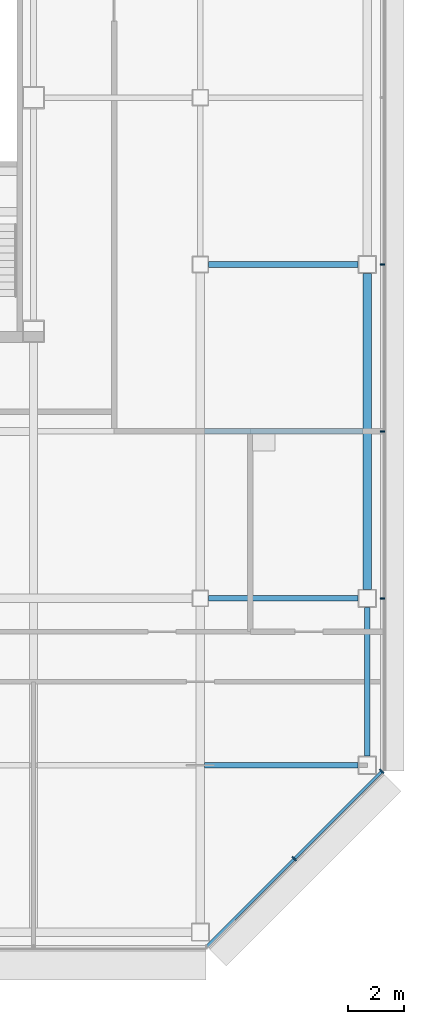
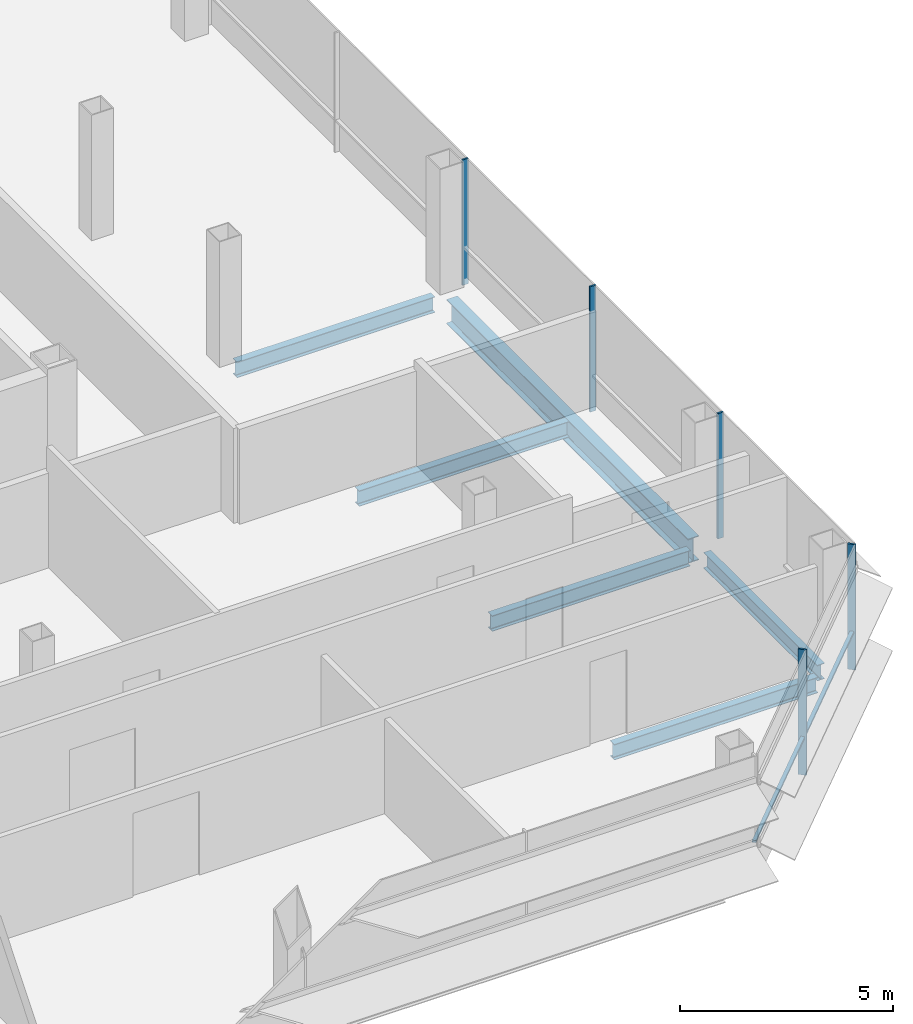
# One storey, part 16 of 26: 6 beams, 6 members, 2 elements without a shape of their own.
"""IFC4 building model written with IfcOpenShell, lengths in metres."""

from ifc_helpers import new_model, si_unit, direction, frame, origin, origin_2d, place, context, subcontext, project, spatial, rectangle, i_section, extrude, material, material_profile, profile_set, type_object, element, aggregate, save


model = new_model("IFC4")

# Units and contexts
model_context = context("Model", 3, precision=1e-05, world=origin(), true_north=direction((0.0, 1.0)))
body_context = subcontext(model_context, "Body", "Model", "MODEL_VIEW")
ifc_project = project(units=[si_unit("LENGTHUNIT", "METRE"), si_unit("AREAUNIT", "SQUARE_METRE"), si_unit("VOLUMEUNIT", "CUBIC_METRE"), si_unit("PLANEANGLEUNIT", "RADIAN"), si_unit("MASSUNIT", "GRAM", prefix="KILO")], contexts=[model_context])

# Site, building, storey
site_placement = place(None, origin())
site = spatial("IfcSite", under=ifc_project, at=site_placement, CompositionType="ELEMENT")
building_placement = place(site_placement, origin())
building = spatial("IfcBuilding", under=site, at=building_placement, Name="Sorahane Residences", CompositionType="ELEMENT")
storey_placement = place(building_placement, frame((0.0, 0.0, 219.0)))
storey = spatial("IfcBuildingStorey", under=building, at=storey_placement, Name="L51", CompositionType="ELEMENT", Elevation=219.0)

# Curtain wall, members
ifc_material_1 = material(Name="Dark low-e glass and black anodised aluminium", Category="aluminium")
curtain_wall_type_1 = type_object("IfcCurtainWallType", Name="Curtain wall CW-1 Typical unitised wall", PredefinedType="NOTDEFINED", material=ifc_material_1)
curtain_wall_1_placement = place(storey_placement, origin())
curtain_wall_1 = element("IfcCurtainWall", 1, at=curtain_wall_1_placement, inside=storey, type_object=curtain_wall_type_1, Name="CW-1 curtain wall L51 E1", PredefinedType="NOTDEFINED")
ifc_material_2 = material(Name="Black anodised aluminium", Category="aluminium")
ifc_material_profile_1 = material_profile(ifc_material_2, rectangle(XDim=0.159912109375, YDim=0.050048828125, at=origin_2d()), Name="Curtain wall mullion CW-1 black anodised aluminium 50x160")
ifc_profile_set_1 = profile_set([ifc_material_profile_1], Name="Black anodised aluminium")
member_type_1 = type_object("IfcMemberType", Name="Curtain wall mullion CW-1 black anodised aluminium 50x160", PredefinedType="MULLION", material=ifc_profile_set_1)
member_1_placement = place(storey_placement, frame((54.5400390625, 12.0, -0.179931640625), z_axis=(0.0, 0.0, 1.0), x_axis=(1.0, 0.0, 0.0)))
member_1 = element("IfcMember", 2, at=member_1_placement, type_object=member_type_1, Name="CW-1 mullion L51 E1.2", PredefinedType="MULLION", context=body_context, shape_type="SweptSolid", body=[
    extrude(rectangle(XDim=0.159912109375, YDim=0.050048828125, at=origin_2d()), origin(), (0.0, 0.0, 1.0), 3.599853515625),
])
member_2_placement = place(storey_placement, frame((54.5400390625, 18.0, -0.179931640625), z_axis=(0.0, 0.0, 1.0), x_axis=(1.0, 0.0, 0.0)))
member_2 = element("IfcMember", 3, at=member_2_placement, type_object=member_type_1, Name="CW-1 mullion L51 E1.3", PredefinedType="MULLION", context=body_context, shape_type="SweptSolid", body=[
    extrude(rectangle(XDim=0.159912109375, YDim=0.050048828125, at=origin_2d()), origin(), (0.0, 0.0, 1.0), 3.599853515625),
])
member_3_placement = place(storey_placement, frame((54.5400390625, 24.0, -0.179931640625), z_axis=(0.0, 0.0, 1.0), x_axis=(1.0, 0.0, 0.0)))
member_3 = element("IfcMember", 4, at=member_3_placement, type_object=member_type_1, Name="CW-1 mullion L51 E1.4", PredefinedType="MULLION", context=body_context, shape_type="SweptSolid", body=[
    extrude(rectangle(XDim=0.159912109375, YDim=0.050048828125, at=origin_2d()), origin(), (0.0, 0.0, 1.0), 3.599853515625),
])
aggregate(curtain_wall_1, [member_1, member_2, member_3])

ifc_material_3 = material(Name="Dark low-e glass and black anodised aluminium", Category="aluminium")
curtain_wall_type_2 = type_object("IfcCurtainWallType", Name="Curtain wall CW-2 Chamfer unitised wall", PredefinedType="NOTDEFINED", material=ifc_material_3)
curtain_wall_2_placement = place(storey_placement, origin())
curtain_wall_2 = element("IfcCurtainWall", 5, at=curtain_wall_2_placement, inside=storey, type_object=curtain_wall_type_2, Name="CW-2 curtain wall L51 SE1", PredefinedType="NOTDEFINED")
ifc_material_4 = material(Name="Black anodised aluminium", Category="aluminium")
ifc_material_profile_2 = material_profile(ifc_material_4, rectangle(XDim=0.199951171875, YDim=0.050048828125, at=origin_2d()), Name="Curtain wall mullion CW-2 black anodised aluminium 50x200")
ifc_profile_set_2 = profile_set([ifc_material_profile_2], Name="Black anodised aluminium")
member_type_2 = type_object("IfcMemberType", Name="Curtain wall mullion CW-2 black anodised aluminium 50x200", PredefinedType="MULLION", material=ifc_profile_set_2)
member_4_placement = place(storey_placement, frame((51.36767578125, 2.63232421875, -0.179931640625), z_axis=(0.0, 0.0, 1.0), x_axis=(0.707106781187, -0.707106781187, 0.0)))
member_4 = element("IfcMember", 6, at=member_4_placement, type_object=member_type_2, Name="CW-2 mullion L51 SE1.2", PredefinedType="MULLION", context=body_context, shape_type="SweptSolid", body=[
    extrude(rectangle(XDim=0.199951171875, YDim=0.050048828125, at=origin_2d()), origin(), (0.0, 0.0, 1.0), 3.599853515625),
])
member_5_placement = place(storey_placement, frame((54.525634765625, 5.790283203125, -0.179931640625), z_axis=(0.0, 0.0, 1.0), x_axis=(0.707106781187, -0.707106781187, 0.0)))
member_5 = element("IfcMember", 7, at=member_5_placement, type_object=member_type_2, Name="CW-2 mullion L51 SE1.3", PredefinedType="MULLION", context=body_context, shape_type="SweptSolid", body=[
    extrude(rectangle(XDim=0.199951171875, YDim=0.050048828125, at=origin_2d()), origin(), (0.0, 0.0, 1.0), 3.599853515625),
])
ifc_material_5 = material(Name="Black anodised aluminium", Category="aluminium")
ifc_material_profile_3 = material_profile(ifc_material_5, rectangle(XDim=0.10009765625, YDim=0.06005859375, at=origin_2d()), Name="Curtain wall transom CW-2 black anodised aluminium 60x100")
ifc_profile_set_3 = profile_set([ifc_material_profile_3], Name="Black anodised aluminium")
member_type_3 = type_object("IfcMemberType", Name="Curtain wall transom CW-2 black anodised aluminium 60x100", PredefinedType="USERDEFINED", material=ifc_profile_set_3)
member_6_placement = place(storey_placement, frame((48.234375, -0.51513671875, 0.89990234375), z_axis=(0.707106781187, 0.707106781187, 0.0), x_axis=(-0.707106781187, 0.707106781187, 0.0)))
member_6 = element("IfcMember", 8, at=member_6_placement, type_object=member_type_3, Name="CW-2 transom L51 SE1", ObjectType="TRANSOM", PredefinedType="USERDEFINED", context=body_context, shape_type="SweptSolid", body=[
    extrude(rectangle(XDim=0.10009765625, YDim=0.06005859375, at=origin_2d()), origin(), (0.0, 0.0, 1.0), 8.88232421875),
])
aggregate(curtain_wall_2, [member_4, member_5, member_6])

# Beams
ifc_material_6 = material(Name="Steel Q355B", Category="steel")
ifc_material_profile_4 = material_profile(ifc_material_6, i_section(OverallWidth=0.199951171875, OverallDepth=0.449951171875, WebThickness=0.009033203125, FlangeThickness=0.013916015625, FilletRadius=0.02001953125, at=origin_2d()), Name="HN 450x200x9x14")
ifc_profile_set_4 = profile_set([ifc_material_profile_4], Name="Steel Q355B")
beam_type_1 = type_object("IfcBeamType", Name="Steel floor beam HN 450x200x9x14 Q355B", PredefinedType="BEAM", material=ifc_profile_set_4)
for number, where, z_axis, x_axis, name in (
    (9, (48.300048828125, 12.0, -0.405029296875), (1.0, 0.0, 0.0), (0.0, 1.0, 0.0), "Beam L51 010"),
    (10, (48.300048828125, 24.0, -0.405029296875), (1.0, 0.0, 0.0), (0.0, 1.0, 0.0), "Beam L51 012"),
):
    element("IfcBeam", number, at=place(storey_placement, frame(where, z_axis=z_axis, x_axis=x_axis)), inside=storey, type_object=beam_type_1, Name=name, PredefinedType="BEAM", context=body_context, shape_type="SweptSolid", body=[
        extrude(i_section(OverallWidth=0.199951171875, OverallDepth=0.449951171875, WebThickness=0.009033203125, FlangeThickness=0.013916015625, FilletRadius=0.02001953125, at=origin_2d()), origin(), (0.0, 0.0, 1.0), 5.375),
    ])
beam_1_placement = place(storey_placement, frame((54.0, 6.324951171875, -0.405029296875), z_axis=(0.0, 1.0, 0.0), x_axis=(-1.0, 0.0, 0.0)))
element("IfcBeam", 11, at=beam_1_placement, inside=storey, type_object=beam_type_1, Name="Beam L51 064", PredefinedType="BEAM", context=body_context, shape_type="SweptSolid", body=[
    extrude(i_section(OverallWidth=0.199951171875, OverallDepth=0.449951171875, WebThickness=0.009033203125, FlangeThickness=0.013916015625, FilletRadius=0.02001953125, at=origin_2d()), origin(), (0.0, 0.0, 1.0), 5.35009765625),
])
beam_2_placement = place(storey_placement, frame((48.14990234375, 6.0, -0.405029296875), z_axis=(1.0, 0.0, 0.0), x_axis=(0.0, 1.0, 0.0)))
element("IfcBeam", 12, at=beam_2_placement, inside=storey, type_object=beam_type_1, Name="Beam L51 077", PredefinedType="BEAM", context=body_context, shape_type="SweptSolid", body=[
    extrude(i_section(OverallWidth=0.199951171875, OverallDepth=0.449951171875, WebThickness=0.009033203125, FlangeThickness=0.013916015625, FilletRadius=0.02001953125, at=origin_2d()), origin(), (0.0, 0.0, 1.0), 5.525146484375),
])
beam_3_placement = place(storey_placement, frame((48.14990234375, 18.0, -0.405029296875), z_axis=(1.0, 0.0, 0.0), x_axis=(0.0, 1.0, 0.0)))
element("IfcBeam", 13, at=beam_3_placement, inside=storey, type_object=beam_type_1, Name="Beam L51 084", PredefinedType="BEAM", context=body_context, shape_type="SweptSolid", body=[
    extrude(i_section(OverallWidth=0.199951171875, OverallDepth=0.449951171875, WebThickness=0.009033203125, FlangeThickness=0.013916015625, FilletRadius=0.02001953125, at=origin_2d()), origin(), (0.0, 0.0, 1.0), 5.7001953125),
])
ifc_material_7 = material(Name="Steel Q355B", Category="steel")
ifc_material_profile_5 = material_profile(ifc_material_7, i_section(OverallWidth=0.300048828125, OverallDepth=0.699951171875, WebThickness=0.012939453125, FlangeThickness=0.02392578125, FilletRadius=0.028076171875, at=origin_2d()), Name="HN 700x300x13x24")
ifc_profile_set_5 = profile_set([ifc_material_profile_5], Name="Steel Q355B")
beam_type_2 = type_object("IfcBeamType", Name="Steel floor beam HN 700x300x13x24 Q355B", PredefinedType="BEAM", material=ifc_profile_set_5)
beam_4_placement = place(storey_placement, frame((54.0, 12.324951171875, -0.530029296875), z_axis=(0.0, 1.0, 0.0), x_axis=(-1.0, 0.0, 0.0)))
element("IfcBeam", 14, at=beam_4_placement, inside=storey, type_object=beam_type_2, Name="Beam L51 065", PredefinedType="BEAM", context=body_context, shape_type="SweptSolid", body=[
    extrude(i_section(OverallWidth=0.300048828125, OverallDepth=0.699951171875, WebThickness=0.012939453125, FlangeThickness=0.02392578125, FilletRadius=0.028076171875, at=origin_2d()), origin(), (0.0, 0.0, 1.0), 11.35009765625),
])

save(model, "model.ifc")
